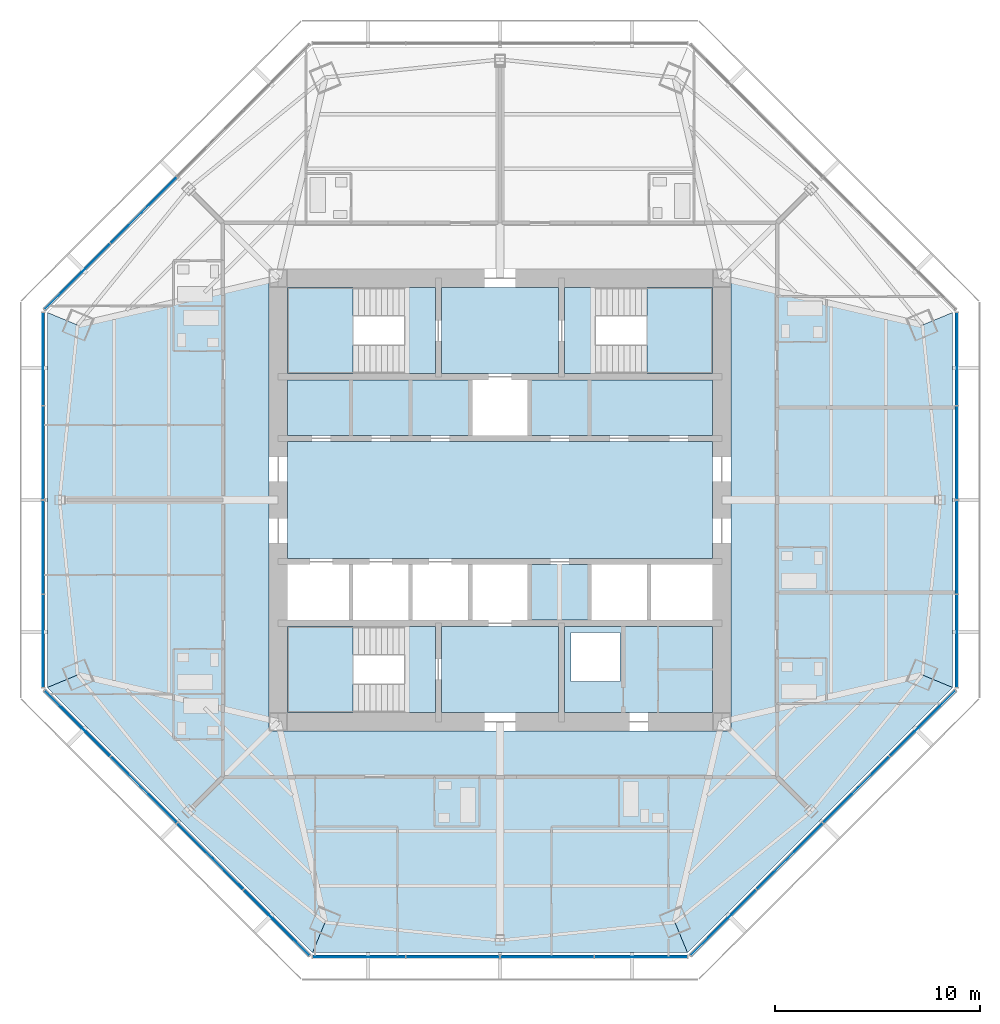
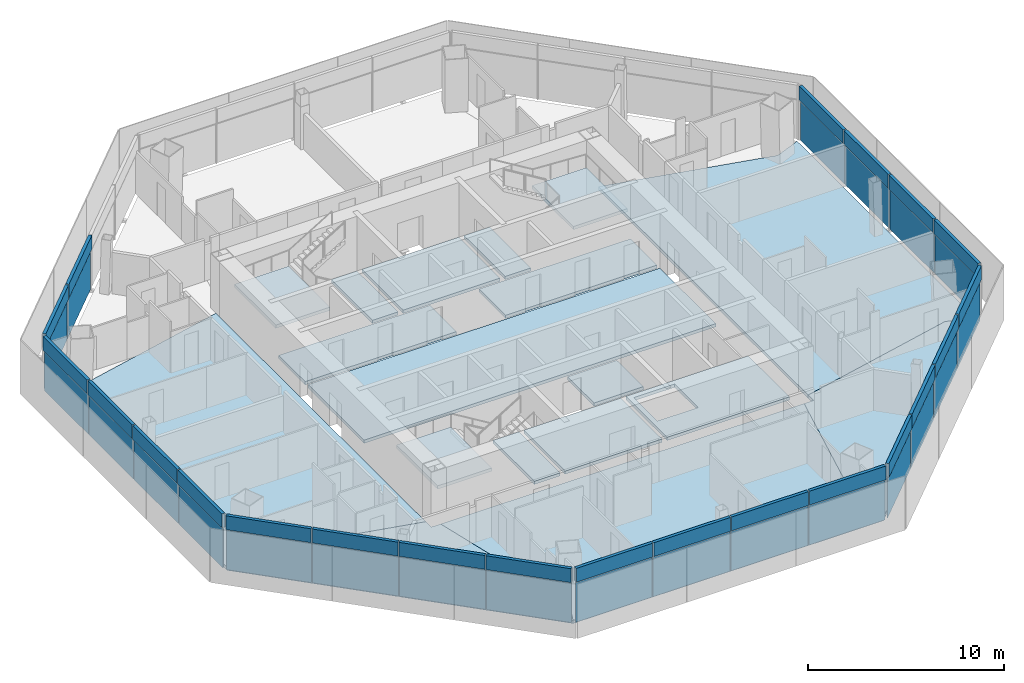
# One storey, part 7 of 15: 44 plates, 18 slabs, 9 elements without a shape of their own.
"""IFC4 building model written with IfcOpenShell, lengths in metres."""

from ifc_helpers import new_model, si_unit, direction, frame, origin, origin_2d, place, context, subcontext, project, spatial, polyline, rectangle, outline, extrude, source, transform, mapped, material, layer, layer_set, type_object, type_shapes, element, aggregate, save


model = new_model("IFC4")

# Units and contexts
model_context = context("Model", 3, precision=1e-05, world=origin(), true_north=direction((0.0, 1.0)))
body_context = subcontext(model_context, "Body", "Model", "MODEL_VIEW")
ifc_project = project(units=[si_unit("LENGTHUNIT", "METRE"), si_unit("AREAUNIT", "SQUARE_METRE"), si_unit("VOLUMEUNIT", "CUBIC_METRE"), si_unit("PLANEANGLEUNIT", "RADIAN"), si_unit("MASSUNIT", "GRAM", prefix="KILO")], contexts=[model_context])

# Site, building, storey
site_placement = place(None, origin())
site = spatial("IfcSite", under=ifc_project, at=site_placement, CompositionType="ELEMENT")
building_placement = place(site_placement, origin())
building = spatial("IfcBuilding", under=site, at=building_placement, Name="Mashrafa Tower", CompositionType="ELEMENT")
storey_placement = place(building_placement, frame((0.0, 0.0, 204.0)))
storey = spatial("IfcBuildingStorey", under=building, at=storey_placement, Name="L46", CompositionType="ELEMENT", Elevation=204.0)

# Slabs
ifc_material_1 = material(Name="Concrete C35/45", Category="concrete")
ifc_layer_1 = layer(ifc_material_1, 0.199951171875)
ifc_layer_set_1 = layer_set([ifc_layer_1], Name="Floor slab 200")
slab_type_1 = type_object("IfcSlabType", Name="Floor slab 200", PredefinedType="FLOOR", material=ifc_layer_set_1)
slab_1_placement = place(storey_placement, frame((0.0, 0.0, -0.199951171875)))
element("IfcSlab", 1, at=slab_1_placement, inside=storey, type_object=slab_type_1, Name="Floor slab L46 east bay", PredefinedType="FLOOR", context=body_context, shape_type="SweptSolid", body=[
    extrude(outline(polyline([(22.0439453125, -9.130859375), (20.5712890625, -8.52099609375), (11.25, -10.695068359375), (11.25, 10.695068359375), (20.5712890625, 8.52099609375), (22.0439453125, 9.130859375), (22.0439453125, -9.130859375)])), origin(), (0.0, 0.0, 1.0), 0.199951171875),
])
slab_2_placement = place(storey_placement, frame((0.0, 0.0, -0.199951171875)))
element("IfcSlab", 2, at=slab_2_placement, inside=storey, type_object=slab_type_1, Name="Floor slab L46 west bay", PredefinedType="FLOOR", context=body_context, shape_type="SweptSolid", body=[
    extrude(outline(polyline([(-22.0439453125, 9.130859375), (-20.5712890625, 8.52099609375), (-11.25, 10.695068359375), (-11.25, -10.695068359375), (-20.5712890625, -8.52099609375), (-22.0439453125, -9.130859375), (-22.0439453125, 9.130859375)])), origin(), (0.0, 0.0, 1.0), 0.199951171875),
])
slab_3_placement = place(storey_placement, frame((0.0, 0.0, -0.199951171875)))
element("IfcSlab", 3, at=slab_3_placement, inside=storey, type_object=slab_type_1, Name="Floor slab L46 south-west bay", PredefinedType="FLOOR", context=body_context, shape_type="SweptSolid", body=[
    extrude(outline(polyline([(-9.130859375, -22.0439453125), (-22.0439453125, -9.130859375), (-22.0439453125, -9.130859375), (-20.5712890625, -8.52099609375), (-11.25, -10.695068359375), (-11.25, -11.25), (-10.695068359375, -11.25), (-8.52099609375, -20.5712890625), (-9.130859375, -22.0439453125), (-9.130859375, -22.0439453125)])), origin(), (0.0, 0.0, 1.0), 0.199951171875),
])
slab_4_placement = place(storey_placement, frame((0.0, 0.0, -0.199951171875)))
element("IfcSlab", 4, at=slab_4_placement, inside=storey, type_object=slab_type_1, Name="Floor slab L46 south bay", PredefinedType="FLOOR", context=body_context, shape_type="SweptSolid", body=[
    extrude(outline(polyline([(-9.130859375, -22.0439453125), (-8.52099609375, -20.5712890625), (-10.695068359375, -11.25), (10.695068359375, -11.25), (8.52099609375, -20.5712890625), (9.130859375, -22.0439453125), (-9.130859375, -22.0439453125)])), origin(), (0.0, 0.0, 1.0), 0.199951171875),
])
slab_5_placement = place(storey_placement, frame((0.0, 0.0, -0.199951171875)))
element("IfcSlab", 5, at=slab_5_placement, inside=storey, type_object=slab_type_1, Name="Floor slab L46 south-east bay", PredefinedType="FLOOR", context=body_context, shape_type="SweptSolid", body=[
    extrude(outline(polyline([(9.130859375, -22.0439453125), (8.52099609375, -20.5712890625), (10.695068359375, -11.25), (11.25, -11.25), (11.25, -10.695068359375), (20.5712890625, -8.52099609375), (22.0439453125, -9.130859375), (22.0439453125, -9.130859375), (9.130859375, -22.0439453125), (9.130859375, -22.0439453125)])), origin(), (0.0, 0.0, 1.0), 0.199951171875),
])
slab_6_placement = place(storey_placement, frame((0.0, 0.0, -0.199951171875)))
element("IfcSlab", 6, at=slab_6_placement, inside=storey, type_object=slab_type_1, Name="Core floor lift hall L46", PredefinedType="FLOOR", context=body_context, shape_type="SweptSolid", body=[
    extrude(outline(polyline([(-10.35009765625, 2.85009765625), (10.35009765625, 2.85009765625), (10.35009765625, -2.85009765625), (-10.35009765625, -2.85009765625), (-10.35009765625, 2.85009765625)])), origin(), (0.0, 0.0, 1.0), 0.199951171875),
])
slab_7_placement = place(storey_placement, frame((0.0, 0.0, -0.199951171875)))
element("IfcSlab", 7, at=slab_7_placement, inside=storey, type_object=slab_type_1, Name="Core floor riser and electrical band L46", PredefinedType="FLOOR", context=body_context, shape_type="SweptSolid", body=[
    extrude(outline(polyline([(10.35009765625, -6.14990234375), (10.35009765625, -10.35009765625), (3.14990234375, -10.35009765625), (3.14990234375, -6.14990234375), (10.35009765625, -6.14990234375)]), holes=[polyline([(3.449951171875, -8.85009765625), (5.85009765625, -8.85009765625), (5.85009765625, -6.449951171875), (3.449951171875, -6.449951171875), (3.449951171875, -8.85009765625)])]), origin(), (0.0, 0.0, 1.0), 0.199951171875),
])
slab_8_placement = place(storey_placement, frame((0.0, 0.0, -0.199951171875)))
element("IfcSlab", 8, at=slab_8_placement, inside=storey, type_object=slab_type_1, Name="Core floor lift cell L46", PredefinedType="FLOOR", context=body_context, shape_type="SweptSolid", body=[
    extrude(outline(polyline([(-10.35009765625, 5.85009765625), (-1.449951171875, 5.85009765625), (-1.449951171875, 3.14990234375), (-10.35009765625, 3.14990234375), (-10.35009765625, 5.85009765625)])), origin(), (0.0, 0.0, 1.0), 0.199951171875),
])
slab_9_placement = place(storey_placement, frame((0.0, 0.0, -0.199951171875)))
element("IfcSlab", 9, at=slab_9_placement, inside=storey, type_object=slab_type_1, Name="Core floor lift cell L46", PredefinedType="FLOOR", context=body_context, shape_type="SweptSolid", body=[
    extrude(outline(polyline([(1.449951171875, 5.85009765625), (10.35009765625, 5.85009765625), (10.35009765625, 3.14990234375), (1.449951171875, 3.14990234375), (1.449951171875, 5.85009765625)])), origin(), (0.0, 0.0, 1.0), 0.199951171875),
])
slab_10_placement = place(storey_placement, frame((0.0, 0.0, -0.199951171875)))
element("IfcSlab", 10, at=slab_10_placement, inside=storey, type_object=slab_type_1, Name="Core floor fire-fighting lobby south L46", PredefinedType="FLOOR", context=body_context, shape_type="SweptSolid", body=[
    extrude(outline(polyline([(2.85009765625, -6.14990234375), (2.85009765625, -10.35009765625), (-2.85009765625, -10.35009765625), (-2.85009765625, -6.14990234375), (2.85009765625, -6.14990234375)])), origin(), (0.0, 0.0, 1.0), 0.199951171875),
])
slab_11_placement = place(storey_placement, frame((0.0, 0.0, -0.199951171875)))
element("IfcSlab", 11, at=slab_11_placement, inside=storey, type_object=slab_type_1, Name="Core floor fire-fighting lobby north L46", PredefinedType="FLOOR", context=body_context, shape_type="SweptSolid", body=[
    extrude(outline(polyline([(-2.85009765625, 10.35009765625), (2.85009765625, 10.35009765625), (2.85009765625, 6.14990234375), (-2.85009765625, 6.14990234375), (-2.85009765625, 10.35009765625)])), origin(), (0.0, 0.0, 1.0), 0.199951171875),
])
slab_12_placement = place(storey_placement, frame((0.0, 0.0, -0.199951171875)))
element("IfcSlab", 12, at=slab_12_placement, inside=storey, type_object=slab_type_1, Name="Core floor lift cell L46", PredefinedType="FLOOR", context=body_context, shape_type="SweptSolid", body=[
    extrude(outline(polyline([(4.35009765625, -3.14990234375), (4.35009765625, -5.85009765625), (1.449951171875, -5.85009765625), (1.449951171875, -3.14990234375), (4.35009765625, -3.14990234375)])), origin(), (0.0, 0.0, 1.0), 0.199951171875),
])

# Stair, slabs
ifc_material_2 = material(Name="Exit stair 1400")
stair_type = type_object("IfcStairType", Name="Exit stair 1400", PredefinedType="HALF_TURN_STAIR", material=ifc_material_2)
stair_1_placement = place(storey_placement, origin())
stair_1 = element("IfcStair", 13, at=stair_1_placement, inside=storey, type_object=stair_type, Name="Stair S1 L46", PredefinedType="HALF_TURN_STAIR")
ifc_material_3 = material(Name="Concrete C32/40", Category="concrete")
ifc_layer_2 = layer(ifc_material_3, 0.199951171875)
ifc_layer_set_2 = layer_set([ifc_layer_2], Name="Stair landing 200")
slab_type_2 = type_object("IfcSlabType", Name="Stair landing 200", PredefinedType="LANDING", material=ifc_layer_set_2)
slab_13_placement = place(storey_placement, frame((0.0, 0.0, -0.199951171875)))
slab_13 = element("IfcSlab", 14, at=slab_13_placement, type_object=slab_type_2, Name="S1 landing 1", PredefinedType="LANDING", context=body_context, shape_type="SweptSolid", body=[
    extrude(outline(polyline([(-4.659912109375, 6.14990234375), (-3.14990234375, 6.14990234375), (-3.14990234375, 10.35009765625), (-4.659912109375, 10.35009765625), (-4.659912109375, 6.14990234375)])), origin(), (0.0, 0.0, 1.0), 0.199951171875),
])
slab_14_placement = place(storey_placement, frame((0.0, 0.0, 1.5)))
slab_14 = element("IfcSlab", 15, at=slab_14_placement, type_object=slab_type_2, Name="S1 landing 2", PredefinedType="LANDING", context=body_context, shape_type="SweptSolid", body=[
    extrude(outline(polyline([(-10.35009765625, 6.14990234375), (-7.159912109375, 6.14990234375), (-7.159912109375, 10.35009765625), (-10.35009765625, 10.35009765625), (-10.35009765625, 6.14990234375)])), origin(), (0.0, 0.0, 1.0), 0.199951171875),
])
aggregate(stair_1, [slab_13, slab_14])

stair_2_placement = place(storey_placement, origin())
stair_2 = element("IfcStair", 16, at=stair_2_placement, inside=storey, type_object=stair_type, Name="Stair S2 L46", PredefinedType="HALF_TURN_STAIR")
slab_15_placement = place(storey_placement, frame((0.0, 0.0, -0.199951171875)))
slab_15 = element("IfcSlab", 17, at=slab_15_placement, type_object=slab_type_2, Name="S2 landing 1", PredefinedType="LANDING", context=body_context, shape_type="SweptSolid", body=[
    extrude(outline(polyline([(3.14990234375, 6.14990234375), (4.659912109375, 6.14990234375), (4.659912109375, 10.35009765625), (3.14990234375, 10.35009765625), (3.14990234375, 6.14990234375)])), origin(), (0.0, 0.0, 1.0), 0.199951171875),
])
slab_16_placement = place(storey_placement, frame((0.0, 0.0, 1.5)))
slab_16 = element("IfcSlab", 18, at=slab_16_placement, type_object=slab_type_2, Name="S2 landing 2", PredefinedType="LANDING", context=body_context, shape_type="SweptSolid", body=[
    extrude(outline(polyline([(7.159912109375, 6.14990234375), (10.35009765625, 6.14990234375), (10.35009765625, 10.35009765625), (7.159912109375, 10.35009765625), (7.159912109375, 6.14990234375)])), origin(), (0.0, 0.0, 1.0), 0.199951171875),
])
aggregate(stair_2, [slab_15, slab_16])

stair_3_placement = place(storey_placement, origin())
stair_3 = element("IfcStair", 19, at=stair_3_placement, inside=storey, type_object=stair_type, Name="Stair S3 L46", PredefinedType="HALF_TURN_STAIR")
slab_17_placement = place(storey_placement, frame((0.0, 0.0, -0.199951171875)))
slab_17 = element("IfcSlab", 20, at=slab_17_placement, type_object=slab_type_2, Name="S3 landing 1", PredefinedType="LANDING", context=body_context, shape_type="SweptSolid", body=[
    extrude(outline(polyline([(-4.659912109375, -10.35009765625), (-3.14990234375, -10.35009765625), (-3.14990234375, -6.14990234375), (-4.659912109375, -6.14990234375), (-4.659912109375, -10.35009765625)])), origin(), (0.0, 0.0, 1.0), 0.199951171875),
])
slab_18_placement = place(storey_placement, frame((0.0, 0.0, 1.5)))
slab_18 = element("IfcSlab", 21, at=slab_18_placement, type_object=slab_type_2, Name="S3 landing 2", PredefinedType="LANDING", context=body_context, shape_type="SweptSolid", body=[
    extrude(outline(polyline([(-10.35009765625, -10.35009765625), (-7.159912109375, -10.35009765625), (-7.159912109375, -6.14990234375), (-10.35009765625, -6.14990234375), (-10.35009765625, -10.35009765625)])), origin(), (0.0, 0.0, 1.0), 0.199951171875),
])
aggregate(stair_3, [slab_17, slab_18])

# Curtain wall, plates
ifc_material_4 = material(Name="Unitised aluminium curtain wall", Category="aluminium")
curtain_wall_type = type_object("IfcCurtainWallType", Name="Apartment curtain wall, zone 3 CW-C 180 deep", PredefinedType="NOTDEFINED", material=ifc_material_4)
curtain_wall_1_placement = place(storey_placement, origin())
curtain_wall_1 = element("IfcCurtainWall", 22, at=curtain_wall_1_placement, inside=storey, type_object=curtain_wall_type, Name="Apartment curtain wall, zone 3 L46 east", PredefinedType="NOTDEFINED")
ifc_material_5 = material(Name="Insulated double glazing, acoustic", Category="glass")
ifc_layer_3 = layer(ifc_material_5, 0.028076171875)
ifc_layer_set_3 = layer_set([ifc_layer_3], Name="Vision panel CW-C 28")
plate_type_1 = type_object("IfcPlateType", Name="Vision panel CW-C 28", PredefinedType="CURTAIN_PANEL", material=ifc_layer_set_3)
shared_shape_1 = source(origin(), body_context, "Body", "SweptSolid", [
    extrude(rectangle(XDim=4.4931640625, YDim=0.028076171875, at=origin_2d()), origin(), (0.0, 0.0, 1.0), 2.46240234375),
])
plate_1_placement = place(storey_placement, frame((22.243896484375, -6.85986328125, 0.0), z_axis=(0.0, 0.0, 1.0), x_axis=(0.0, 1.0, 0.0)))
plate_1 = element("IfcPlate", 23, at=plate_1_placement, type_object=plate_type_1, Name="CW-C vision panel 1", PredefinedType="CURTAIN_PANEL", context=body_context, shape_type="MappedRepresentation", body=[
    mapped(shared_shape_1, transform((0.0, 0.0, 0.0))),
])
plate_2_placement = place(storey_placement, frame((22.243896484375, 6.85986328125, 0.0), z_axis=(0.0, 0.0, 1.0), x_axis=(0.0, 1.0, 0.0)))
plate_2 = element("IfcPlate", 24, at=plate_2_placement, type_object=plate_type_1, Name="CW-C vision panel 4", PredefinedType="CURTAIN_PANEL", context=body_context, shape_type="MappedRepresentation", body=[
    mapped(shared_shape_1, transform((0.0, 0.0, 0.0))),
])

# Curtain wall, plate
curtain_wall_2_placement = place(storey_placement, origin())
curtain_wall_2 = element("IfcCurtainWall", 25, at=curtain_wall_2_placement, inside=storey, type_object=curtain_wall_type, Name="Apartment curtain wall, zone 3 L46 north-west", PredefinedType="NOTDEFINED")
plate_3_placement = place(storey_placement, frame((-20.579345703125, 10.878173828125, 0.0), z_axis=(0.0, 0.0, 1.0), x_axis=(-0.707106781187, -0.707106781187, 0.0)))
plate_3 = element("IfcPlate", 26, at=plate_3_placement, type_object=plate_type_1, Name="CW-C vision panel 4", PredefinedType="CURTAIN_PANEL", context=body_context, shape_type="MappedRepresentation", body=[
    mapped(shared_shape_1, transform((0.0, 0.0, 0.0))),
])

# Curtain wall, plates
curtain_wall_3_placement = place(storey_placement, origin())
curtain_wall_3 = element("IfcCurtainWall", 27, at=curtain_wall_3_placement, inside=storey, type_object=curtain_wall_type, Name="Apartment curtain wall, zone 3 L46 west", PredefinedType="NOTDEFINED")
plate_4_placement = place(storey_placement, frame((-22.243896484375, 6.85986328125, 0.0), z_axis=(0.0, 0.0, 1.0), x_axis=(0.0, -1.0, 0.0)))
plate_4 = element("IfcPlate", 28, at=plate_4_placement, type_object=plate_type_1, Name="CW-C vision panel 1", PredefinedType="CURTAIN_PANEL", context=body_context, shape_type="MappedRepresentation", body=[
    mapped(shared_shape_1, transform((0.0, 0.0, 0.0))),
])
plate_5_placement = place(storey_placement, frame((-22.243896484375, -6.85986328125, 0.0), z_axis=(0.0, 0.0, 1.0), x_axis=(0.0, -1.0, 0.0)))
plate_5 = element("IfcPlate", 29, at=plate_5_placement, type_object=plate_type_1, Name="CW-C vision panel 4", PredefinedType="CURTAIN_PANEL", context=body_context, shape_type="MappedRepresentation", body=[
    mapped(shared_shape_1, transform((0.0, 0.0, 0.0))),
])

curtain_wall_4_placement = place(storey_placement, origin())
curtain_wall_4 = element("IfcCurtainWall", 30, at=curtain_wall_4_placement, inside=storey, type_object=curtain_wall_type, Name="Apartment curtain wall, zone 3 L46 south-west", PredefinedType="NOTDEFINED")
plate_6_placement = place(storey_placement, frame((-20.579345703125, -10.878173828125, 0.0), z_axis=(0.0, 0.0, 1.0), x_axis=(0.707106781187, -0.707106781187, 0.0)))
plate_6 = element("IfcPlate", 31, at=plate_6_placement, type_object=plate_type_1, Name="CW-C vision panel 1", PredefinedType="CURTAIN_PANEL", context=body_context, shape_type="MappedRepresentation", body=[
    mapped(shared_shape_1, transform((0.0, 0.0, 0.0))),
])
plate_7_placement = place(storey_placement, frame((-10.878173828125, -20.579345703125, 0.0), z_axis=(0.0, 0.0, 1.0), x_axis=(0.707106781187, -0.707106781187, 0.0)))
plate_7 = element("IfcPlate", 32, at=plate_7_placement, type_object=plate_type_1, Name="CW-C vision panel 4", PredefinedType="CURTAIN_PANEL", context=body_context, shape_type="MappedRepresentation", body=[
    mapped(shared_shape_1, transform((0.0, 0.0, 0.0))),
])

curtain_wall_5_placement = place(storey_placement, origin())
curtain_wall_5 = element("IfcCurtainWall", 33, at=curtain_wall_5_placement, inside=storey, type_object=curtain_wall_type, Name="Apartment curtain wall, zone 3 L46 south", PredefinedType="NOTDEFINED")
plate_8_placement = place(storey_placement, frame((-6.85986328125, -22.243896484375, 0.0), z_axis=(0.0, 0.0, 1.0), x_axis=(1.0, 0.0, 0.0)))
plate_8 = element("IfcPlate", 34, at=plate_8_placement, type_object=plate_type_1, Name="CW-C vision panel 1", PredefinedType="CURTAIN_PANEL", context=body_context, shape_type="MappedRepresentation", body=[
    mapped(shared_shape_1, transform((0.0, 0.0, 0.0))),
])
plate_9_placement = place(storey_placement, frame((6.85986328125, -22.243896484375, 0.0), z_axis=(0.0, 0.0, 1.0), x_axis=(1.0, 0.0, 0.0)))
plate_9 = element("IfcPlate", 35, at=plate_9_placement, type_object=plate_type_1, Name="CW-C vision panel 4", PredefinedType="CURTAIN_PANEL", context=body_context, shape_type="MappedRepresentation", body=[
    mapped(shared_shape_1, transform((0.0, 0.0, 0.0))),
])

curtain_wall_6_placement = place(storey_placement, origin())
curtain_wall_6 = element("IfcCurtainWall", 36, at=curtain_wall_6_placement, inside=storey, type_object=curtain_wall_type, Name="Apartment curtain wall, zone 3 L46 south-east", PredefinedType="NOTDEFINED")
plate_10_placement = place(storey_placement, frame((10.878173828125, -20.579345703125, 0.0), z_axis=(0.0, 0.0, 1.0), x_axis=(0.707106781187, 0.707106781187, 0.0)))
plate_10 = element("IfcPlate", 37, at=plate_10_placement, type_object=plate_type_1, Name="CW-C vision panel 1", PredefinedType="CURTAIN_PANEL", context=body_context, shape_type="MappedRepresentation", body=[
    mapped(shared_shape_1, transform((0.0, 0.0, 0.0))),
])
plate_11_placement = place(storey_placement, frame((20.579345703125, -10.878173828125, 0.0), z_axis=(0.0, 0.0, 1.0), x_axis=(0.707106781187, 0.707106781187, 0.0)))
plate_11 = element("IfcPlate", 38, at=plate_11_placement, type_object=plate_type_1, Name="CW-C vision panel 4", PredefinedType="CURTAIN_PANEL", context=body_context, shape_type="MappedRepresentation", body=[
    mapped(shared_shape_1, transform((0.0, 0.0, 0.0))),
])

# Plate
ifc_material_6 = material(Name="Insulated bronze aluminium spandrel panel", Category="aluminium")
ifc_layer_4 = layer(ifc_material_6, 0.179931640625)
ifc_layer_set_4 = layer_set([ifc_layer_4], Name="Spandrel panel CW-C 180")
plate_type_2 = type_object("IfcPlateType", Name="Spandrel panel CW-C 180", PredefinedType="CURTAIN_PANEL", material=ifc_layer_set_4)
shared_shape_2 = source(origin(), body_context, "Body", "SweptSolid", [
    extrude(rectangle(XDim=4.4931640625, YDim=0.179931640625, at=origin_2d()), origin(), (0.0, 0.0, 1.0), 0.862548828125),
])
plate_12_placement = place(storey_placement, frame((22.243896484375, -6.85986328125, 2.53759765625), z_axis=(0.0, 0.0, 1.0), x_axis=(0.0, 1.0, 0.0)))
plate_12 = element("IfcPlate", 39, at=plate_12_placement, type_object=plate_type_2, Name="CW-C spandrel panel 1", PredefinedType="CURTAIN_PANEL", context=body_context, shape_type="MappedRepresentation", body=[
    mapped(shared_shape_2, transform((0.0, 0.0, 0.0))),
])

plate_13_placement = place(storey_placement, frame((22.243896484375, 6.85986328125, 2.53759765625), z_axis=(0.0, 0.0, 1.0), x_axis=(0.0, 1.0, 0.0)))
plate_13 = element("IfcPlate", 40, at=plate_13_placement, type_object=plate_type_2, Name="CW-C spandrel panel 4", PredefinedType="CURTAIN_PANEL", context=body_context, shape_type="MappedRepresentation", body=[
    mapped(shared_shape_2, transform((0.0, 0.0, 0.0))),
])

plate_14_placement = place(storey_placement, frame((-20.579345703125, 10.878173828125, 2.53759765625), z_axis=(0.0, 0.0, 1.0), x_axis=(-0.707106781187, -0.707106781187, 0.0)))
plate_14 = element("IfcPlate", 41, at=plate_14_placement, type_object=plate_type_2, Name="CW-C spandrel panel 4", PredefinedType="CURTAIN_PANEL", context=body_context, shape_type="MappedRepresentation", body=[
    mapped(shared_shape_2, transform((0.0, 0.0, 0.0))),
])

plate_15_placement = place(storey_placement, frame((-22.243896484375, 6.85986328125, 2.53759765625), z_axis=(0.0, 0.0, 1.0), x_axis=(0.0, -1.0, 0.0)))
plate_15 = element("IfcPlate", 42, at=plate_15_placement, type_object=plate_type_2, Name="CW-C spandrel panel 1", PredefinedType="CURTAIN_PANEL", context=body_context, shape_type="MappedRepresentation", body=[
    mapped(shared_shape_2, transform((0.0, 0.0, 0.0))),
])

plate_16_placement = place(storey_placement, frame((-22.243896484375, -6.85986328125, 2.53759765625), z_axis=(0.0, 0.0, 1.0), x_axis=(0.0, -1.0, 0.0)))
plate_16 = element("IfcPlate", 43, at=plate_16_placement, type_object=plate_type_2, Name="CW-C spandrel panel 4", PredefinedType="CURTAIN_PANEL", context=body_context, shape_type="MappedRepresentation", body=[
    mapped(shared_shape_2, transform((0.0, 0.0, 0.0))),
])

plate_17_placement = place(storey_placement, frame((-20.579345703125, -10.878173828125, 2.53759765625), z_axis=(0.0, 0.0, 1.0), x_axis=(0.707106781187, -0.707106781187, 0.0)))
plate_17 = element("IfcPlate", 44, at=plate_17_placement, type_object=plate_type_2, Name="CW-C spandrel panel 1", PredefinedType="CURTAIN_PANEL", context=body_context, shape_type="MappedRepresentation", body=[
    mapped(shared_shape_2, transform((0.0, 0.0, 0.0))),
])

plate_18_placement = place(storey_placement, frame((-10.878173828125, -20.579345703125, 2.53759765625), z_axis=(0.0, 0.0, 1.0), x_axis=(0.707106781187, -0.707106781187, 0.0)))
plate_18 = element("IfcPlate", 45, at=plate_18_placement, type_object=plate_type_2, Name="CW-C spandrel panel 4", PredefinedType="CURTAIN_PANEL", context=body_context, shape_type="MappedRepresentation", body=[
    mapped(shared_shape_2, transform((0.0, 0.0, 0.0))),
])

plate_19_placement = place(storey_placement, frame((-6.85986328125, -22.243896484375, 2.53759765625), z_axis=(0.0, 0.0, 1.0), x_axis=(1.0, 0.0, 0.0)))
plate_19 = element("IfcPlate", 46, at=plate_19_placement, type_object=plate_type_2, Name="CW-C spandrel panel 1", PredefinedType="CURTAIN_PANEL", context=body_context, shape_type="MappedRepresentation", body=[
    mapped(shared_shape_2, transform((0.0, 0.0, 0.0))),
])

plate_20_placement = place(storey_placement, frame((6.85986328125, -22.243896484375, 2.53759765625), z_axis=(0.0, 0.0, 1.0), x_axis=(1.0, 0.0, 0.0)))
plate_20 = element("IfcPlate", 47, at=plate_20_placement, type_object=plate_type_2, Name="CW-C spandrel panel 4", PredefinedType="CURTAIN_PANEL", context=body_context, shape_type="MappedRepresentation", body=[
    mapped(shared_shape_2, transform((0.0, 0.0, 0.0))),
])

plate_21_placement = place(storey_placement, frame((10.878173828125, -20.579345703125, 2.53759765625), z_axis=(0.0, 0.0, 1.0), x_axis=(0.707106781187, 0.707106781187, 0.0)))
plate_21 = element("IfcPlate", 48, at=plate_21_placement, type_object=plate_type_2, Name="CW-C spandrel panel 1", PredefinedType="CURTAIN_PANEL", context=body_context, shape_type="MappedRepresentation", body=[
    mapped(shared_shape_2, transform((0.0, 0.0, 0.0))),
])

plate_22_placement = place(storey_placement, frame((20.579345703125, -10.878173828125, 2.53759765625), z_axis=(0.0, 0.0, 1.0), x_axis=(0.707106781187, 0.707106781187, 0.0)))
plate_22 = element("IfcPlate", 49, at=plate_22_placement, type_object=plate_type_2, Name="CW-C spandrel panel 4", PredefinedType="CURTAIN_PANEL", context=body_context, shape_type="MappedRepresentation", body=[
    mapped(shared_shape_2, transform((0.0, 0.0, 0.0))),
])

shared_shape_3 = source(origin(), body_context, "Body", "SweptSolid", [
    extrude(rectangle(XDim=4.523193359375, YDim=0.028076171875, at=origin_2d()), origin(), (0.0, 0.0, 1.0), 2.46240234375),
])
type_shapes(plate_type_1, [shared_shape_1, shared_shape_3])
plate_23_placement = place(storey_placement, frame((22.243896484375, -2.29150390625, 0.0), z_axis=(0.0, 0.0, 1.0), x_axis=(0.0, 1.0, 0.0)))
plate_23 = element("IfcPlate", 50, at=plate_23_placement, type_object=plate_type_1, Name="CW-C vision panel 2", PredefinedType="CURTAIN_PANEL", context=body_context, shape_type="MappedRepresentation", body=[
    mapped(shared_shape_3, transform((0.0, 0.0, 0.0))),
])

plate_24_placement = place(storey_placement, frame((22.243896484375, 2.29150390625, 0.0), z_axis=(0.0, 0.0, 1.0), x_axis=(0.0, 1.0, 0.0)))
plate_24 = element("IfcPlate", 51, at=plate_24_placement, type_object=plate_type_1, Name="CW-C vision panel 3", PredefinedType="CURTAIN_PANEL", context=body_context, shape_type="MappedRepresentation", body=[
    mapped(shared_shape_3, transform((0.0, 0.0, 0.0))),
])

plate_25_placement = place(storey_placement, frame((-17.34912109375, 14.1083984375, 0.0), z_axis=(0.0, 0.0, 1.0), x_axis=(-0.707106781187, -0.707106781187, 0.0)))
plate_25 = element("IfcPlate", 52, at=plate_25_placement, type_object=plate_type_1, Name="CW-C vision panel 3", PredefinedType="CURTAIN_PANEL", context=body_context, shape_type="MappedRepresentation", body=[
    mapped(shared_shape_3, transform((0.0, 0.0, 0.0))),
])

plate_26_placement = place(storey_placement, frame((-22.243896484375, 2.29150390625, 0.0), z_axis=(0.0, 0.0, 1.0), x_axis=(0.0, -1.0, 0.0)))
plate_26 = element("IfcPlate", 53, at=plate_26_placement, type_object=plate_type_1, Name="CW-C vision panel 2", PredefinedType="CURTAIN_PANEL", context=body_context, shape_type="MappedRepresentation", body=[
    mapped(shared_shape_3, transform((0.0, 0.0, 0.0))),
])

plate_27_placement = place(storey_placement, frame((-22.243896484375, -2.29150390625, 0.0), z_axis=(0.0, 0.0, 1.0), x_axis=(0.0, -1.0, 0.0)))
plate_27 = element("IfcPlate", 54, at=plate_27_placement, type_object=plate_type_1, Name="CW-C vision panel 3", PredefinedType="CURTAIN_PANEL", context=body_context, shape_type="MappedRepresentation", body=[
    mapped(shared_shape_3, transform((0.0, 0.0, 0.0))),
])

plate_28_placement = place(storey_placement, frame((-17.34912109375, -14.1083984375, 0.0), z_axis=(0.0, 0.0, 1.0), x_axis=(0.707106781187, -0.707106781187, 0.0)))
plate_28 = element("IfcPlate", 55, at=plate_28_placement, type_object=plate_type_1, Name="CW-C vision panel 2", PredefinedType="CURTAIN_PANEL", context=body_context, shape_type="MappedRepresentation", body=[
    mapped(shared_shape_3, transform((0.0, 0.0, 0.0))),
])

plate_29_placement = place(storey_placement, frame((-14.1083984375, -17.34912109375, 0.0), z_axis=(0.0, 0.0, 1.0), x_axis=(0.707106781187, -0.707106781187, 0.0)))
plate_29 = element("IfcPlate", 56, at=plate_29_placement, type_object=plate_type_1, Name="CW-C vision panel 3", PredefinedType="CURTAIN_PANEL", context=body_context, shape_type="MappedRepresentation", body=[
    mapped(shared_shape_3, transform((0.0, 0.0, 0.0))),
])

plate_30_placement = place(storey_placement, frame((-2.29150390625, -22.243896484375, 0.0), z_axis=(0.0, 0.0, 1.0), x_axis=(1.0, 0.0, 0.0)))
plate_30 = element("IfcPlate", 57, at=plate_30_placement, type_object=plate_type_1, Name="CW-C vision panel 2", PredefinedType="CURTAIN_PANEL", context=body_context, shape_type="MappedRepresentation", body=[
    mapped(shared_shape_3, transform((0.0, 0.0, 0.0))),
])

plate_31_placement = place(storey_placement, frame((2.29150390625, -22.243896484375, 0.0), z_axis=(0.0, 0.0, 1.0), x_axis=(1.0, 0.0, 0.0)))
plate_31 = element("IfcPlate", 58, at=plate_31_placement, type_object=plate_type_1, Name="CW-C vision panel 3", PredefinedType="CURTAIN_PANEL", context=body_context, shape_type="MappedRepresentation", body=[
    mapped(shared_shape_3, transform((0.0, 0.0, 0.0))),
])

plate_32_placement = place(storey_placement, frame((14.1083984375, -17.34912109375, 0.0), z_axis=(0.0, 0.0, 1.0), x_axis=(0.707106781187, 0.707106781187, 0.0)))
plate_32 = element("IfcPlate", 59, at=plate_32_placement, type_object=plate_type_1, Name="CW-C vision panel 2", PredefinedType="CURTAIN_PANEL", context=body_context, shape_type="MappedRepresentation", body=[
    mapped(shared_shape_3, transform((0.0, 0.0, 0.0))),
])

plate_33_placement = place(storey_placement, frame((17.34912109375, -14.1083984375, 0.0), z_axis=(0.0, 0.0, 1.0), x_axis=(0.707106781187, 0.707106781187, 0.0)))
plate_33 = element("IfcPlate", 60, at=plate_33_placement, type_object=plate_type_1, Name="CW-C vision panel 3", PredefinedType="CURTAIN_PANEL", context=body_context, shape_type="MappedRepresentation", body=[
    mapped(shared_shape_3, transform((0.0, 0.0, 0.0))),
])

shared_shape_4 = source(origin(), body_context, "Body", "SweptSolid", [
    extrude(rectangle(XDim=4.523193359375, YDim=0.179931640625, at=origin_2d()), origin(), (0.0, 0.0, 1.0), 0.862548828125),
])
type_shapes(plate_type_2, [shared_shape_2, shared_shape_4])
plate_34_placement = place(storey_placement, frame((22.243896484375, -2.29150390625, 2.53759765625), z_axis=(0.0, 0.0, 1.0), x_axis=(0.0, 1.0, 0.0)))
plate_34 = element("IfcPlate", 61, at=plate_34_placement, type_object=plate_type_2, Name="CW-C spandrel panel 2", PredefinedType="CURTAIN_PANEL", context=body_context, shape_type="MappedRepresentation", body=[
    mapped(shared_shape_4, transform((0.0, 0.0, 0.0))),
])

plate_35_placement = place(storey_placement, frame((22.243896484375, 2.29150390625, 2.53759765625), z_axis=(0.0, 0.0, 1.0), x_axis=(0.0, 1.0, 0.0)))
plate_35 = element("IfcPlate", 62, at=plate_35_placement, type_object=plate_type_2, Name="CW-C spandrel panel 3", PredefinedType="CURTAIN_PANEL", context=body_context, shape_type="MappedRepresentation", body=[
    mapped(shared_shape_4, transform((0.0, 0.0, 0.0))),
])

aggregate(curtain_wall_1, [plate_1, plate_12, plate_23, plate_34, plate_24, plate_35, plate_2, plate_13])

plate_36_placement = place(storey_placement, frame((-17.34912109375, 14.1083984375, 2.53759765625), z_axis=(0.0, 0.0, 1.0), x_axis=(-0.707106781187, -0.707106781187, 0.0)))
plate_36 = element("IfcPlate", 63, at=plate_36_placement, type_object=plate_type_2, Name="CW-C spandrel panel 3", PredefinedType="CURTAIN_PANEL", context=body_context, shape_type="MappedRepresentation", body=[
    mapped(shared_shape_4, transform((0.0, 0.0, 0.0))),
])

aggregate(curtain_wall_2, [plate_25, plate_36, plate_3, plate_14])

plate_37_placement = place(storey_placement, frame((-22.243896484375, 2.29150390625, 2.53759765625), z_axis=(0.0, 0.0, 1.0), x_axis=(0.0, -1.0, 0.0)))
plate_37 = element("IfcPlate", 64, at=plate_37_placement, type_object=plate_type_2, Name="CW-C spandrel panel 2", PredefinedType="CURTAIN_PANEL", context=body_context, shape_type="MappedRepresentation", body=[
    mapped(shared_shape_4, transform((0.0, 0.0, 0.0))),
])

plate_38_placement = place(storey_placement, frame((-22.243896484375, -2.29150390625, 2.53759765625), z_axis=(0.0, 0.0, 1.0), x_axis=(0.0, -1.0, 0.0)))
plate_38 = element("IfcPlate", 65, at=plate_38_placement, type_object=plate_type_2, Name="CW-C spandrel panel 3", PredefinedType="CURTAIN_PANEL", context=body_context, shape_type="MappedRepresentation", body=[
    mapped(shared_shape_4, transform((0.0, 0.0, 0.0))),
])

aggregate(curtain_wall_3, [plate_4, plate_15, plate_26, plate_37, plate_27, plate_38, plate_5, plate_16])

plate_39_placement = place(storey_placement, frame((-17.34912109375, -14.1083984375, 2.53759765625), z_axis=(0.0, 0.0, 1.0), x_axis=(0.707106781187, -0.707106781187, 0.0)))
plate_39 = element("IfcPlate", 66, at=plate_39_placement, type_object=plate_type_2, Name="CW-C spandrel panel 2", PredefinedType="CURTAIN_PANEL", context=body_context, shape_type="MappedRepresentation", body=[
    mapped(shared_shape_4, transform((0.0, 0.0, 0.0))),
])

plate_40_placement = place(storey_placement, frame((-14.1083984375, -17.34912109375, 2.53759765625), z_axis=(0.0, 0.0, 1.0), x_axis=(0.707106781187, -0.707106781187, 0.0)))
plate_40 = element("IfcPlate", 67, at=plate_40_placement, type_object=plate_type_2, Name="CW-C spandrel panel 3", PredefinedType="CURTAIN_PANEL", context=body_context, shape_type="MappedRepresentation", body=[
    mapped(shared_shape_4, transform((0.0, 0.0, 0.0))),
])

aggregate(curtain_wall_4, [plate_6, plate_17, plate_28, plate_39, plate_29, plate_40, plate_7, plate_18])

plate_41_placement = place(storey_placement, frame((-2.29150390625, -22.243896484375, 2.53759765625), z_axis=(0.0, 0.0, 1.0), x_axis=(1.0, 0.0, 0.0)))
plate_41 = element("IfcPlate", 68, at=plate_41_placement, type_object=plate_type_2, Name="CW-C spandrel panel 2", PredefinedType="CURTAIN_PANEL", context=body_context, shape_type="MappedRepresentation", body=[
    mapped(shared_shape_4, transform((0.0, 0.0, 0.0))),
])

plate_42_placement = place(storey_placement, frame((2.29150390625, -22.243896484375, 2.53759765625), z_axis=(0.0, 0.0, 1.0), x_axis=(1.0, 0.0, 0.0)))
plate_42 = element("IfcPlate", 69, at=plate_42_placement, type_object=plate_type_2, Name="CW-C spandrel panel 3", PredefinedType="CURTAIN_PANEL", context=body_context, shape_type="MappedRepresentation", body=[
    mapped(shared_shape_4, transform((0.0, 0.0, 0.0))),
])

aggregate(curtain_wall_5, [plate_8, plate_19, plate_30, plate_41, plate_31, plate_42, plate_9, plate_20])

plate_43_placement = place(storey_placement, frame((14.1083984375, -17.34912109375, 2.53759765625), z_axis=(0.0, 0.0, 1.0), x_axis=(0.707106781187, 0.707106781187, 0.0)))
plate_43 = element("IfcPlate", 70, at=plate_43_placement, type_object=plate_type_2, Name="CW-C spandrel panel 2", PredefinedType="CURTAIN_PANEL", context=body_context, shape_type="MappedRepresentation", body=[
    mapped(shared_shape_4, transform((0.0, 0.0, 0.0))),
])

plate_44_placement = place(storey_placement, frame((17.34912109375, -14.1083984375, 2.53759765625), z_axis=(0.0, 0.0, 1.0), x_axis=(0.707106781187, 0.707106781187, 0.0)))
plate_44 = element("IfcPlate", 71, at=plate_44_placement, type_object=plate_type_2, Name="CW-C spandrel panel 3", PredefinedType="CURTAIN_PANEL", context=body_context, shape_type="MappedRepresentation", body=[
    mapped(shared_shape_4, transform((0.0, 0.0, 0.0))),
])

aggregate(curtain_wall_6, [plate_10, plate_21, plate_32, plate_43, plate_33, plate_44, plate_11, plate_22])

save(model, "model.ifc")
